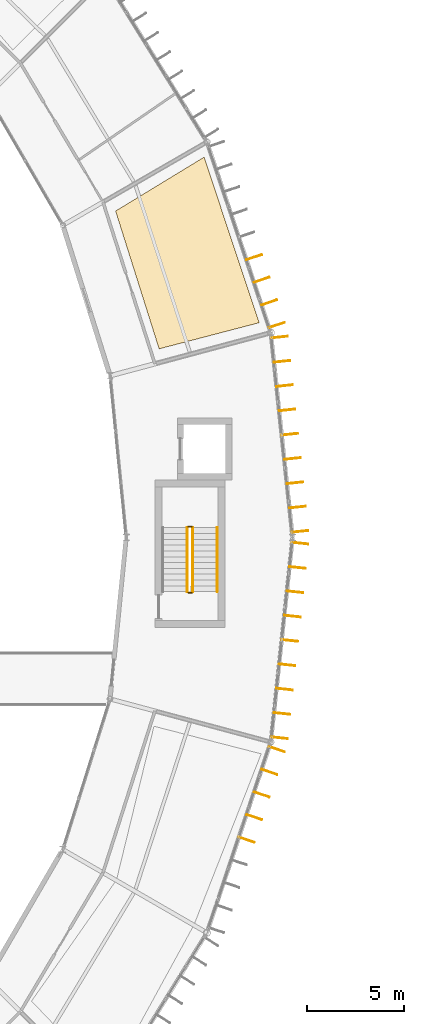
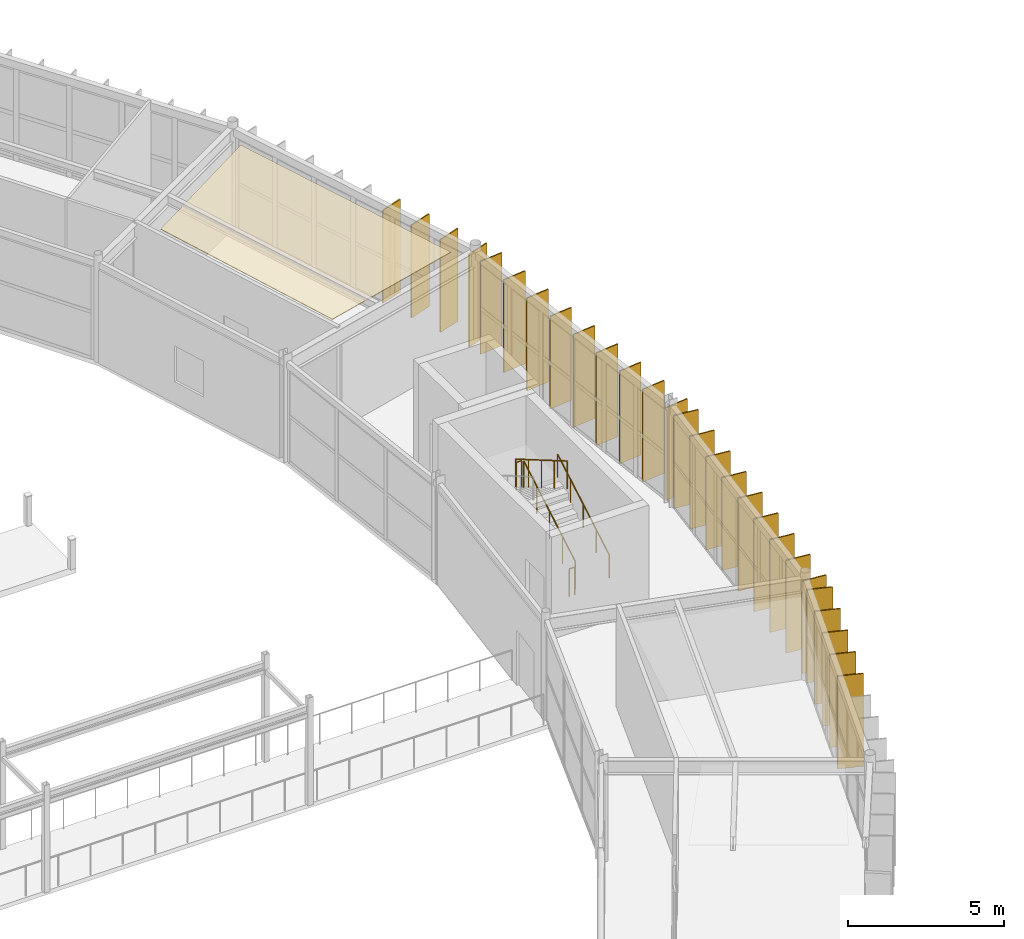
# One storey, part 140 of 147: 27 shading devices, 5 railings, 1 covering.
"""IFC4 building model written with IfcOpenShell, lengths in metres."""

from ifc_helpers import new_model, si_unit, direction, frame, origin, origin_2d, place, context, subcontext, project, spatial, polyline, rectangle, circle, outline, extrude, material, layer, layer_set, type_object, element, save


model = new_model("IFC4")

# Units and contexts
model_context = context("Model", 3, precision=1e-05, world=origin(), true_north=direction((0.0, 1.0)))
body_context = subcontext(model_context, "Body", "Model", "MODEL_VIEW")
ifc_project = project(units=[si_unit("LENGTHUNIT", "METRE"), si_unit("AREAUNIT", "SQUARE_METRE"), si_unit("VOLUMEUNIT", "CUBIC_METRE"), si_unit("PLANEANGLEUNIT", "RADIAN"), si_unit("MASSUNIT", "GRAM", prefix="KILO")], contexts=[model_context])

# Site, building, storey
site_placement = place(None, origin())
site = spatial("IfcSite", under=ifc_project, at=site_placement, CompositionType="ELEMENT")
building_placement = place(site_placement, origin())
building = spatial("IfcBuilding", under=site, at=building_placement, Name="Karori Crest Natural Sciences Institute", CompositionType="ELEMENT")
storey_placement = place(building_placement, frame((0.0, 0.0, 9.10009765625)))
storey = spatial("IfcBuildingStorey", under=building, at=storey_placement, Name="L02", CompositionType="ELEMENT", Elevation=9.10009765625)

# Covering
ifc_material_1 = material(Name="Acoustic mineral fibre ceiling tile")
ifc_layer_1 = layer(ifc_material_1, 0.02490234375, Name="Acoustic mineral fibre ceiling tile")
ifc_layer_set_1 = layer_set([ifc_layer_1], Name="Acoustic mineral fibre ceiling tile")
covering_type = type_object("IfcCoveringType", Name="CVT-CEIL", PredefinedType="CEILING", material=ifc_layer_set_1)
covering_placement = place(storey_placement, frame((0.0, 0.0, 3.704833984375)))
element("IfcCovering", 1, at=covering_placement, inside=storey, type_object=covering_type, Name="Acoustic ceiling CLG-0065", PredefinedType="CEILING", context=body_context, shape_type="SweptSolid", body=[
    extrude(outline(polyline([(90.260009765625, 66.734130859375), (92.50341796875, 59.625244140625), (97.66162109375, 60.97265625), (94.82568359375, 69.514892578125), (90.260009765625, 66.734130859375)])), origin(), (0.0, 0.0, 1.0), 0.025146484375),
])

# Railings
ifc_material_2 = material(Name="Stainless steel 316 tubular handrail", Category="steel")
railing_type_1 = type_object("IfcRailingType", Name="RLT-HND", PredefinedType="HANDRAIL", material=ifc_material_2)
railing_1_placement = place(storey_placement, frame((95.5, 47.10009765625, 0.1748046875)))
element("IfcRailing", 2, at=railing_1_placement, inside=storey, type_object=railing_type_1, Name="Stair handrail RL-0023", PredefinedType="HANDRAIL", context=body_context, shape_type="SweptSolid", body=[
    extrude(circle(Radius=0.02392578125, at=origin_2d()), frame((0.0, 0.0, 0.90087890625), z_axis=(0.0, 0.863760357493, 0.503902812876), x_axis=(-1.0, 0.0, 0.0)), (0.0, 0.0, 1.0), 3.8203125),
    extrude(circle(Radius=0.02099609375, at=origin_2d()), origin(), (0.0, 0.0, 1.0), 0.876953125),
    extrude(circle(Radius=0.02099609375, at=origin_2d()), frame((0.0, 0.824951171875, 0.481201171875)), (0.0, 0.0, 1.0), 0.876953125),
    extrude(circle(Radius=0.02099609375, at=origin_2d()), frame((0.0, 1.64990234375, 0.96240234375)), (0.0, 0.0, 1.0), 0.876953125),
    extrude(circle(Radius=0.02099609375, at=origin_2d()), frame((0.0, 2.474853515625, 1.44384765625)), (0.0, 0.0, 1.0), 0.876953125),
    extrude(circle(Radius=0.02099609375, at=origin_2d()), frame((0.0, 3.2998046875, 1.925048828125)), (0.0, 0.0, 1.0), 0.876953125),
])
ifc_material_3 = material(Name="Stainless steel 316 stair guard", Category="steel")
railing_type_2 = type_object("IfcRailingType", Name="RLT-STG", PredefinedType="GUARDRAIL", material=ifc_material_3)
railing_2_placement = place(storey_placement, frame((94.25, 47.10009765625, 0.1748046875)))
element("IfcRailing", 3, at=railing_2_placement, inside=storey, type_object=railing_type_2, Name="Stair guard RL-0019", PredefinedType="GUARDRAIL", context=body_context, shape_type="SweptSolid", body=[
    extrude(circle(Radius=0.02392578125, at=origin_2d()), frame((0.0, 0.0, 1.076171875), z_axis=(0.0, 0.863760357493, 0.503902812876), x_axis=(-1.0, 0.0, 0.0)), (0.0, 0.0, 1.0), 3.8203125),
    extrude(circle(Radius=0.02099609375, at=origin_2d()), origin(), (0.0, 0.0, 1.0), 1.052001953125),
    extrude(circle(Radius=0.02099609375, at=origin_2d()), frame((0.0, 0.824951171875, 0.481201171875)), (0.0, 0.0, 1.0), 1.052001953125),
    extrude(circle(Radius=0.02099609375, at=origin_2d()), frame((0.0, 1.64990234375, 0.96240234375)), (0.0, 0.0, 1.0), 1.052001953125),
    extrude(circle(Radius=0.02099609375, at=origin_2d()), frame((0.0, 2.474853515625, 1.44384765625)), (0.0, 0.0, 1.0), 1.052001953125),
    extrude(circle(Radius=0.02099609375, at=origin_2d()), frame((0.0, 3.2998046875, 1.925048828125)), (0.0, 0.0, 1.0), 1.052001953125),
])
railing_3_placement = place(storey_placement, frame((94.199951171875, 50.449951171875, 2.099853515625)))
element("IfcRailing", 4, at=railing_3_placement, inside=storey, type_object=railing_type_2, Name="Stair guard RL-0020", PredefinedType="GUARDRAIL", context=body_context, shape_type="SweptSolid", body=[
    extrude(circle(Radius=0.02392578125, at=origin_2d()), frame((0.0, 0.0, 1.076171875), z_axis=(-1.0, 0.0, 0.0), x_axis=(0.0, -1.0, 0.0)), (0.0, 0.0, 1.0), 0.199951171875),
    extrude(circle(Radius=0.02099609375, at=origin_2d()), origin(), (0.0, 0.0, 1.0), 1.052001953125),
    extrude(circle(Radius=0.02099609375, at=origin_2d()), frame((-0.199951171875, 0.0, 0.0)), (0.0, 0.0, 1.0), 1.052001953125),
])
railing_4_placement = place(storey_placement, frame((93.949951171875, 50.39990234375, 2.27490234375)))
element("IfcRailing", 5, at=railing_4_placement, inside=storey, type_object=railing_type_2, Name="Stair guard RL-0021", PredefinedType="GUARDRAIL", context=body_context, shape_type="SweptSolid", body=[
    extrude(circle(Radius=0.02392578125, at=origin_2d()), frame((0.0, 0.0, 1.076171875), z_axis=(0.0, -0.863760357493, 0.503902812876), x_axis=(1.0, 0.0, 0.0)), (0.0, 0.0, 1.0), 3.8203125),
    extrude(circle(Radius=0.02099609375, at=origin_2d()), origin(), (0.0, 0.0, 1.0), 1.052001953125),
    extrude(circle(Radius=0.02099609375, at=origin_2d()), frame((0.0, -0.824951171875, 0.481201171875)), (0.0, 0.0, 1.0), 1.052001953125),
    extrude(circle(Radius=0.02099609375, at=origin_2d()), frame((0.0, -1.64990234375, 0.96240234375)), (0.0, 0.0, 1.0), 1.052001953125),
    extrude(circle(Radius=0.02099609375, at=origin_2d()), frame((0.0, -2.474853515625, 1.44384765625)), (0.0, 0.0, 1.0), 1.052001953125),
    extrude(circle(Radius=0.02099609375, at=origin_2d()), frame((0.0, -3.2998046875, 1.925048828125)), (0.0, 0.0, 1.0), 1.052001953125),
])
railing_5_placement = place(storey_placement, frame((94.199951171875, 47.050048828125, 0.0)))
element("IfcRailing", 6, at=railing_5_placement, inside=storey, type_object=railing_type_2, Name="Stair guard RL-0022", PredefinedType="GUARDRAIL", context=body_context, shape_type="SweptSolid", body=[
    extrude(circle(Radius=0.02392578125, at=origin_2d()), frame((0.0, 0.0, 1.076171875), z_axis=(-1.0, 0.0, 0.0), x_axis=(0.0, -1.0, 0.0)), (0.0, 0.0, 1.0), 0.199951171875),
    extrude(circle(Radius=0.02099609375, at=origin_2d()), origin(), (0.0, 0.0, 1.0), 1.052001953125),
    extrude(circle(Radius=0.02099609375, at=origin_2d()), frame((-0.199951171875, 0.0, 0.0)), (0.0, 0.0, 1.0), 1.052001953125),
])

# Shading devices
ifc_material_4 = material(Name="Anodised architectural aluminium 6063-T6", Category="aluminium")
ifc_layer_2 = layer(ifc_material_4, 0.044921875, Name="Anodised architectural aluminium 6063-T6")
ifc_layer_set_2 = layer_set([ifc_layer_2], Name="Anodised architectural aluminium 6063-T6")
shading_device_type = type_object("IfcShadingDeviceType", Name="SDT-FIN", PredefinedType="USERDEFINED", material=ifc_layer_set_2)
for number, where, z_axis, x_axis, name in (
    (7, (98.71240234375, 60.22900390625, 0.0), (0.0, 0.0, 1.0), (0.994378673306, 0.10588226515, 0.0), "Vertical solar fin FN-0205"),
    (8, (98.845947265625, 58.975830078125, 0.0), (0.0, 0.0, 1.0), (0.994378673306, 0.10588226515, 0.0), "Vertical solar fin FN-0206"),
    (9, (98.979248046875, 57.722900390625, 0.0), (0.0, 0.0, 1.0), (0.994378673306, 0.10588226515, 0.0), "Vertical solar fin FN-0207"),
    (10, (99.11279296875, 56.4697265625, 0.0), (0.0, 0.0, 1.0), (0.994378673306, 0.10588226515, 0.0), "Vertical solar fin FN-0208"),
    (11, (99.24609375, 55.216796875, 0.0), (0.0, 0.0, 1.0), (0.994378673306, 0.10588226515, 0.0), "Vertical solar fin FN-0209"),
    (12, (99.379638671875, 53.963623046875, 0.0), (0.0, 0.0, 1.0), (0.994378673306, 0.10588226515, 0.0), "Vertical solar fin FN-0210"),
    (13, (99.51318359375, 52.71044921875, 0.0), (0.0, 0.0, 1.0), (0.994378673306, 0.10588226515, 0.0), "Vertical solar fin FN-0211"),
    (14, (99.646484375, 51.45751953125, 0.0), (0.0, 0.0, 1.0), (0.994378673306, 0.10588226515, 0.0), "Vertical solar fin FN-0212"),
    (15, (99.77978515625, 50.204345703125, 0.0), (0.0, 0.0, 1.0), (0.994378673306, 0.10588226515, 0.0), "Vertical solar fin FN-0213"),
    (16, (97.404296875, 64.35107421875, 0.0), (0.0, 0.0, 1.0), (0.948196204549, 0.317685312343, 0.0), "Vertical solar fin FN-0219"),
    (17, (97.795166015625, 63.1845703125, 0.0), (0.0, 0.0, 1.0), (0.948196204549, 0.317685312343, 0.0), "Vertical solar fin FN-0220"),
    (18, (98.18603515625, 62.01806640625, 0.0), (0.0, 0.0, 1.0), (0.948196204549, 0.317685312343, 0.0), "Vertical solar fin FN-0221"),
    (19, (98.576904296875, 60.8515625, 0.0), (0.0, 0.0, 1.0), (0.948196204549, 0.317685312343, 0.0), "Vertical solar fin FN-0222"),
    (20, (98.581787109375, 38.96337890625, 0.0), (0.0, 0.0, 1.0), (0.948196204549, -0.317685312343, 0.0), "Vertical solar fin FN-0391"),
    (21, (98.19091796875, 37.796875, 0.0), (0.0, 0.0, 1.0), (0.948196204549, -0.317685312343, 0.0), "Vertical solar fin FN-0392"),
    (22, (97.800048828125, 36.63037109375, 0.0), (0.0, 0.0, 1.0), (0.948196204549, -0.317685312343, 0.0), "Vertical solar fin FN-0393"),
    (23, (97.4091796875, 35.4638671875, 0.0), (0.0, 0.0, 1.0), (0.948196204549, -0.317685312343, 0.0), "Vertical solar fin FN-0394"),
    (24, (97.0185546875, 34.29736328125, 0.0), (0.0, 0.0, 1.0), (0.948196204549, -0.317685312343, 0.0), "Vertical solar fin FN-0395"),
    (25, (99.77978515625, 49.595703125, 0.0), (0.0, 0.0, 1.0), (0.994378488506, -0.105884000668, 0.0), "Vertical solar fin FN-0400"),
    (26, (99.646240234375, 48.340576171875, 0.0), (0.0, 0.0, 1.0), (0.994378488506, -0.105884000668, 0.0), "Vertical solar fin FN-0401"),
    (27, (99.5126953125, 47.085693359375, 0.0), (0.0, 0.0, 1.0), (0.994378488506, -0.105884000668, 0.0), "Vertical solar fin FN-0402"),
    (28, (99.37890625, 45.83056640625, 0.0), (0.0, 0.0, 1.0), (0.994378488506, -0.105884000668, 0.0), "Vertical solar fin FN-0403"),
    (29, (99.245361328125, 44.575439453125, 0.0), (0.0, 0.0, 1.0), (0.994378488506, -0.105884000668, 0.0), "Vertical solar fin FN-0404"),
    (30, (99.11181640625, 43.3203125, 0.0), (0.0, 0.0, 1.0), (0.994378488506, -0.105884000668, 0.0), "Vertical solar fin FN-0405"),
    (31, (98.97802734375, 42.0654296875, 0.0), (0.0, 0.0, 1.0), (0.994378488506, -0.105884000668, 0.0), "Vertical solar fin FN-0406"),
    (32, (98.844482421875, 40.810302734375, 0.0), (0.0, 0.0, 1.0), (0.994378488506, -0.105884000668, 0.0), "Vertical solar fin FN-0407"),
    (33, (98.710693359375, 39.555419921875, 0.0), (0.0, 0.0, 1.0), (0.994378488506, -0.105884000668, 0.0), "Vertical solar fin FN-0408"),
):
    element("IfcShadingDevice", number, at=place(storey_placement, frame(where, z_axis=z_axis, x_axis=x_axis)), inside=storey, type_object=shading_device_type, Name=name, ObjectType="SOLAR_FIN", PredefinedType="USERDEFINED", context=body_context, shape_type="SweptSolid", body=[
        extrude(rectangle(XDim=0.85009765625, YDim=0.044921875, at=origin_2d()), origin(), (0.0, 0.0, 1.0), 3.625),
    ])

save(model, "model.ifc")
